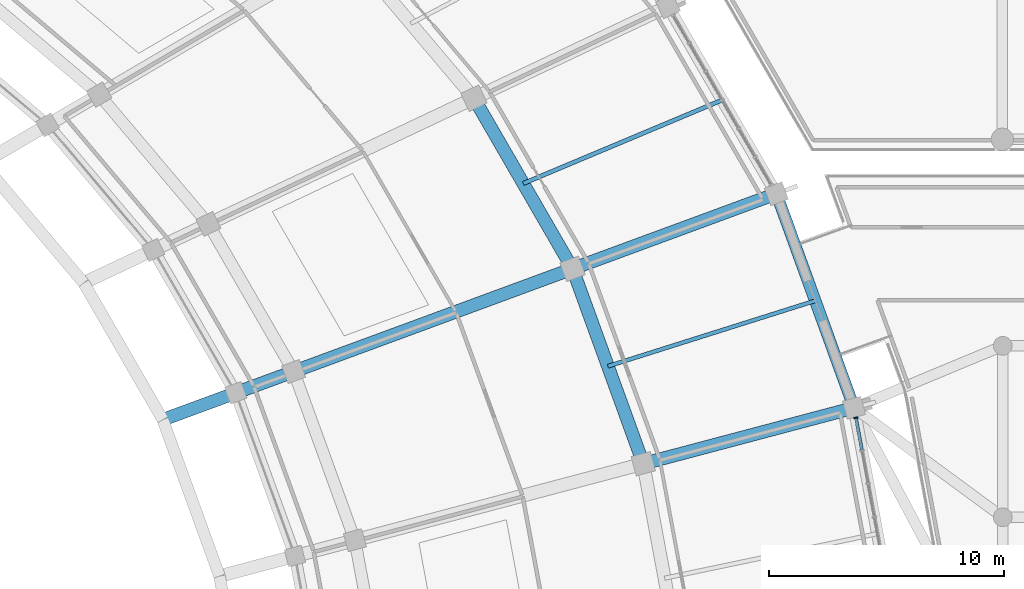
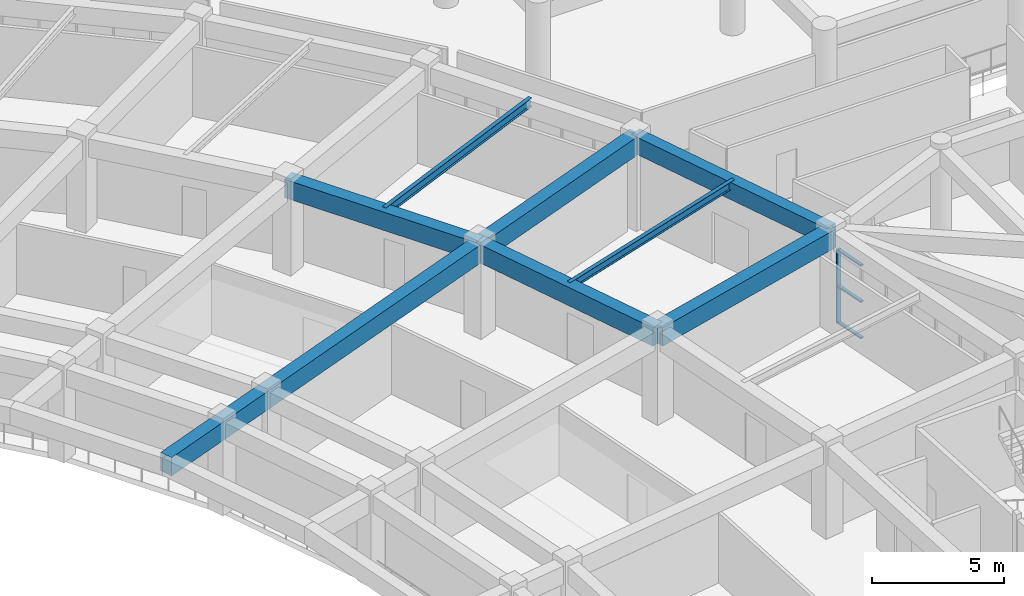
# One storey, part 52 of 145: 8 beams, 4 members, 1 element without a shape of its own.
"""IFC4 building model written with IfcOpenShell, lengths in metres."""

from ifc_helpers import new_model, si_unit, direction, frame, origin, origin_2d, place, context, subcontext, project, spatial, rectangle, i_section, extrude, material, layer, layer_set, material_profile, profile_set, type_object, element, aggregate, save


model = new_model("IFC4")

# Units and contexts
model_context = context("Model", 3, precision=1e-05, world=origin(), true_north=direction((0.0, 1.0)))
body_context = subcontext(model_context, "Body", "Model", "MODEL_VIEW")
ifc_project = project(units=[si_unit("LENGTHUNIT", "METRE"), si_unit("AREAUNIT", "SQUARE_METRE"), si_unit("VOLUMEUNIT", "CUBIC_METRE"), si_unit("PLANEANGLEUNIT", "RADIAN"), si_unit("MASSUNIT", "GRAM", prefix="KILO")], contexts=[model_context])

# Site, building, storey
site_placement = place(None, origin())
site = spatial("IfcSite", under=ifc_project, at=site_placement, CompositionType="ELEMENT")
building_placement = place(site_placement, origin())
building = spatial("IfcBuilding", under=site, at=building_placement, Name="Mphavela Belvedere Stadium", CompositionType="ELEMENT")
storey_placement = place(building_placement, frame((0.0, 0.0, 10.199951171875)))
storey = spatial("IfcBuildingStorey", under=building, at=storey_placement, Name="L02", CompositionType="ELEMENT", Elevation=10.199951171875)

# Beams
ifc_material_1 = material(Name="Steel S355", Category="steel")
ifc_material_profile_1 = material_profile(ifc_material_1, i_section(OverallWidth=0.169921875, OverallDepth=0.360107421875, WebThickness=0.008056640625, FlangeThickness=0.0126953125, at=origin_2d()), Name="IPE 360")
ifc_profile_set_1 = profile_set([ifc_material_profile_1], Name="Steel S355")
beam_type_1 = type_object("IfcBeamType", Name="BM-JOIST-IPE360", PredefinedType="JOIST", material=ifc_profile_set_1)
beam_1_placement = place(storey_placement, frame((204.681640625, 115.3330078125, 4.070068359375), z_axis=(0.953544002003, 0.301253773826, 0.0), x_axis=(-0.301253773826, 0.953544002003, 0.0)))
element("IfcBeam", 1, at=beam_1_placement, inside=storey, type_object=beam_type_1, Name="Concourse floor joist L02-03", PredefinedType="JOIST", context=body_context, shape_type="SweptSolid", body=[
    extrude(i_section(OverallWidth=0.169921875, OverallDepth=0.360107421875, WebThickness=0.008056640625, FlangeThickness=0.0126953125, at=origin_2d()), origin(), (0.0, 0.0, 1.0), 9.259033203125),
])
ifc_material_2 = material(Name="Steel S355", Category="steel")
ifc_material_profile_2 = material_profile(ifc_material_2, i_section(OverallWidth=0.179931640625, OverallDepth=0.39990234375, WebThickness=0.008544921875, FlangeThickness=0.013427734375, at=origin_2d()), Name="IPE 400")
ifc_profile_set_2 = profile_set([ifc_material_profile_2], Name="Steel S355")
beam_type_2 = type_object("IfcBeamType", Name="BM-JOIST-IPE400", PredefinedType="JOIST", material=ifc_profile_set_2)
beam_2_placement = place(storey_placement, frame((201.07568359375, 123.116455078125, 4.050048828125), z_axis=(0.922118257552, 0.3869081533, 0.0), x_axis=(-0.3869081533, 0.922118257552, 0.0)))
element("IfcBeam", 2, at=beam_2_placement, inside=storey, type_object=beam_type_2, Name="Concourse floor joist L02-04", PredefinedType="JOIST", context=body_context, shape_type="SweptSolid", body=[
    extrude(i_section(OverallWidth=0.179931640625, OverallDepth=0.39990234375, WebThickness=0.008544921875, FlangeThickness=0.013427734375, at=origin_2d()), origin(), (0.0, 0.0, 1.0), 9.189208984375),
])
ifc_material_3 = material(Name="Concrete C40/50", Category="concrete")
ifc_material_profile_3 = material_profile(ifc_material_3, rectangle(XDim=0.550048828125, YDim=0.85009765625, at=origin_2d()), Name="RC 550x850")
ifc_profile_set_3 = profile_set([ifc_material_profile_3], Name="Concrete C40/50")
beam_type_3 = type_object("IfcBeamType", Name="BM-RC550x850", PredefinedType="BEAM", material=ifc_profile_set_3)
beam_3_placement = place(storey_placement, frame((206.1875, 111.181884765625, 3.824951171875), z_axis=(-0.341030504348, 0.940052229987, 0.0), x_axis=(-0.940052229987, -0.341030504348, 0.0)))
element("IfcBeam", 3, at=beam_3_placement, inside=storey, type_object=beam_type_3, Name="Circumferential girder L02 R3-03", PredefinedType="BEAM", context=body_context, shape_type="SweptSolid", body=[
    extrude(rectangle(XDim=0.550048828125, YDim=0.85009765625, at=origin_2d()), origin(), (0.0, 0.0, 1.0), 8.83203125),
])
beam_4_placement = place(storey_placement, frame((206.1875, 111.181884765625, 3.824951171875), z_axis=(0.966589609073, 0.256328944196, 0.0), x_axis=(-0.256328944196, 0.966589609073, 0.0)))
element("IfcBeam", 4, at=beam_4_placement, inside=storey, type_object=beam_type_3, Name="Radial concourse girder L02 R3R4-03", PredefinedType="BEAM", context=body_context, shape_type="SweptSolid", body=[
    extrude(rectangle(XDim=0.550048828125, YDim=0.85009765625, at=origin_2d()), origin(), (0.0, 0.0, 1.0), 9.287353515625),
])
beam_5_placement = place(storey_placement, frame((203.175537109375, 119.484375, 3.824951171875), z_axis=(-0.500547586322, 0.865709023765, 0.0), x_axis=(-0.865709023765, -0.500547586322, 0.0)))
element("IfcBeam", 5, at=beam_5_placement, inside=storey, type_object=beam_type_3, Name="Circumferential girder L02 R3-04", PredefinedType="BEAM", context=body_context, shape_type="SweptSolid", body=[
    extrude(rectangle(XDim=0.550048828125, YDim=0.85009765625, at=origin_2d()), origin(), (0.0, 0.0, 1.0), 8.390625),
])
beam_6_placement = place(storey_placement, frame((203.175537109375, 119.484375, 3.824951171875), z_axis=(0.938348073025, 0.345691905967, 0.0), x_axis=(-0.345691905967, 0.938348073025, 0.0)))
element("IfcBeam", 6, at=beam_6_placement, inside=storey, type_object=beam_type_3, Name="Radial concourse girder L02 R3R4-04", PredefinedType="BEAM", context=body_context, shape_type="SweptSolid", body=[
    extrude(rectangle(XDim=0.550048828125, YDim=0.85009765625, at=origin_2d()), origin(), (0.0, 0.0, 1.0), 9.2509765625),
])
beam_7_placement = place(storey_placement, frame((185.72314453125, 113.0546875, 3.824951171875), z_axis=(0.938345582008, 0.345698667521, 0.0), x_axis=(-0.345698667521, 0.938345582008, 0.0)))
element("IfcBeam", 7, at=beam_7_placement, inside=storey, type_object=beam_type_3, Name="Upper tier box-front outrigger girder 04", PredefinedType="BEAM", context=body_context, shape_type="SweptSolid", body=[
    extrude(rectangle(XDim=0.550048828125, YDim=0.85009765625, at=origin_2d()), origin(), (0.0, 0.0, 1.0), 18.59912109375),
])
ifc_material_4 = material(Name="Concrete C40/50", Category="concrete")
ifc_material_profile_4 = material_profile(ifc_material_4, rectangle(XDim=0.5, YDim=0.800048828125, at=origin_2d()), Name="RC 500x800")
ifc_profile_set_4 = profile_set([ifc_material_profile_4], Name="Concrete C40/50")
beam_type_4 = type_object("IfcBeamType", Name="BM-SPANDREL-800", PredefinedType="SPANDREL", material=ifc_profile_set_4)
beam_8_placement = place(storey_placement, frame((215.16455078125, 113.5625, 3.85009765625), z_axis=(-0.341017570596, 0.94005692197, 0.0), x_axis=(-0.94005692197, -0.341017570596, 0.0)))
element("IfcBeam", 8, at=beam_8_placement, inside=storey, type_object=beam_type_4, Name="Circumferential girder L02 R4-03", PredefinedType="SPANDREL", context=body_context, shape_type="SweptSolid", body=[
    extrude(rectangle(XDim=0.5, YDim=0.800048828125, at=origin_2d()), origin(), (0.0, 0.0, 1.0), 9.701416015625),
])

# Curtain wall, members
ifc_material_5 = material(Name="Anodised bronze unitised curtain wall framing")
ifc_layer = layer(ifc_material_5, 0.179931640625)
ifc_layer_set = layer_set([ifc_layer], Name="Anodised bronze unitised curtain wall framing")
curtain_wall_type = type_object("IfcCurtainWallType", Name="CW-UNIT-01", PredefinedType="USERDEFINED", material=ifc_layer_set)
curtain_wall_placement = place(storey_placement, origin())
curtain_wall = element("IfcCurtainWall", 9, at=curtain_wall_placement, inside=storey, type_object=curtain_wall_type, Name="Belvedere colonnade curtain wall L02-02", ObjectType="UNITISED CURTAIN WALL", PredefinedType="USERDEFINED")
ifc_material_6 = material(Name="Anodised bronze extruded aluminium", Category="aluminium")
ifc_material_profile_5 = material_profile(ifc_material_6, rectangle(XDim=0.179931640625, YDim=0.06494140625, at=origin_2d()), Name="CW-MUL 180x65")
ifc_profile_set_5 = profile_set([ifc_material_profile_5], Name="Anodised bronze extruded aluminium")
member_type_1 = type_object("IfcMemberType", Name="CWM-180x65", PredefinedType="MULLION", material=ifc_profile_set_5)
member_1_placement = place(storey_placement, frame((215.2431640625, 113.13916015625, 0.0), z_axis=(0.0, 0.0, 1.0), x_axis=(-0.983182568174, -0.182625402503, 0.0)))
member_1 = element("IfcMember", 10, at=member_1_placement, type_object=member_type_1, Name="CW-01 mullion 8", PredefinedType="MULLION", context=body_context, shape_type="SweptSolid", body=[
    extrude(rectangle(XDim=0.179931640625, YDim=0.06494140625, at=origin_2d()), origin(), (0.0, 0.0, 1.0), 3.420166015625),
])
ifc_material_7 = material(Name="Anodised bronze extruded aluminium", Category="aluminium")
ifc_material_profile_6 = material_profile(ifc_material_7, rectangle(XDim=0.139892578125, YDim=0.06005859375, at=origin_2d()), Name="CW-TRN 140x60")
ifc_profile_set_6 = profile_set([ifc_material_profile_6], Name="Anodised bronze extruded aluminium")
member_type_2 = type_object("IfcMemberType", Name="CWT-140x60", PredefinedType="USERDEFINED", material=ifc_profile_set_6)
member_2_placement = place(storey_placement, frame((215.494873046875, 111.783935546875, 0.030029296875), z_axis=(-0.1824919897, 0.983207340135, 0.0), x_axis=(-0.983207340135, -0.1824919897, 0.0)))
member_2 = element("IfcMember", 11, at=member_2_placement, type_object=member_type_2, Name="CW-01 transom 7.1", ObjectType="TRANSOM", PredefinedType="USERDEFINED", context=body_context, shape_type="SweptSolid", body=[
    extrude(rectangle(XDim=0.139892578125, YDim=0.06005859375, at=origin_2d()), origin(), (0.0, 0.0, 1.0), 1.345947265625),
])
member_3_placement = place(storey_placement, frame((215.494873046875, 111.783935546875, 1.7099609375), z_axis=(-0.1824919897, 0.983207340135, 0.0), x_axis=(-0.983207340135, -0.1824919897, 0.0)))
member_3 = element("IfcMember", 12, at=member_3_placement, type_object=member_type_2, Name="CW-01 transom 7.2", ObjectType="TRANSOM", PredefinedType="USERDEFINED", context=body_context, shape_type="SweptSolid", body=[
    extrude(rectangle(XDim=0.139892578125, YDim=0.06005859375, at=origin_2d()), origin(), (0.0, 0.0, 1.0), 1.345947265625),
])
member_4_placement = place(storey_placement, frame((215.494873046875, 111.783935546875, 3.39013671875), z_axis=(-0.1824919897, 0.983207340135, 0.0), x_axis=(-0.983207340135, -0.1824919897, 0.0)))
member_4 = element("IfcMember", 13, at=member_4_placement, type_object=member_type_2, Name="CW-01 transom 7.3", ObjectType="TRANSOM", PredefinedType="USERDEFINED", context=body_context, shape_type="SweptSolid", body=[
    extrude(rectangle(XDim=0.139892578125, YDim=0.06005859375, at=origin_2d()), origin(), (0.0, 0.0, 1.0), 1.345947265625),
])
aggregate(curtain_wall, [member_1, member_2, member_3, member_4])

save(model, "model.ifc")
